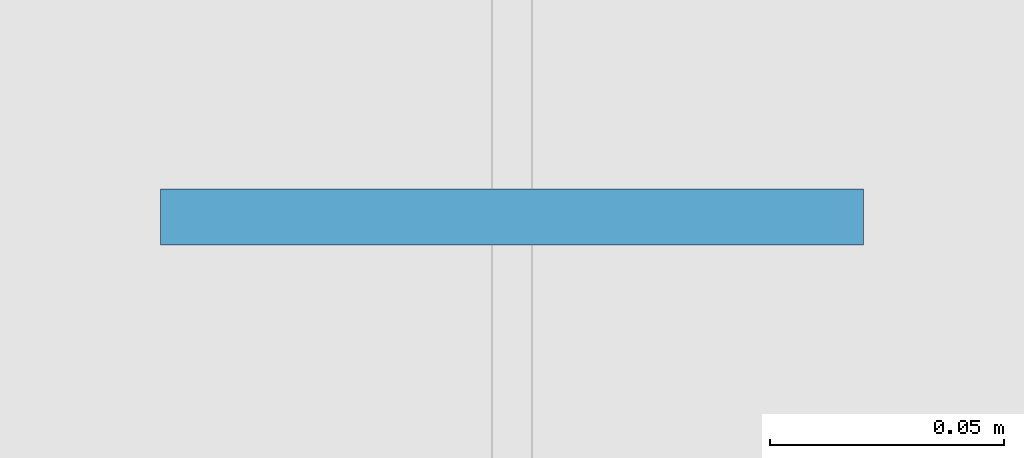
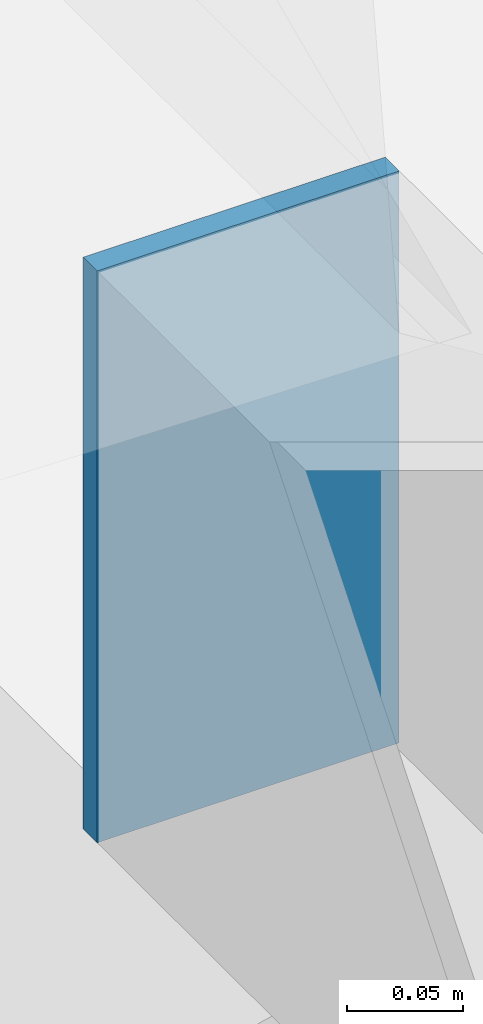
# One storey, part 24 of 35: 1 plate.
"""IFC4 building model written with IfcOpenShell, lengths in metres."""

from ifc_helpers import new_model, si_unit, direction, frame, origin, origin_2d, place, context, subcontext, project, spatial, rectangle, extrude, material, layer, layer_set, type_object, element, save


model = new_model("IFC4")

# Units and contexts
model_context = context("Model", 3, precision=1e-05, world=origin(), true_north=direction((0.0, 1.0)))
body_context = subcontext(model_context, "Body", "Model", "MODEL_VIEW")
ifc_project = project(units=[si_unit("LENGTHUNIT", "METRE"), si_unit("AREAUNIT", "SQUARE_METRE"), si_unit("VOLUMEUNIT", "CUBIC_METRE"), si_unit("PLANEANGLEUNIT", "RADIAN"), si_unit("MASSUNIT", "GRAM", prefix="KILO")], contexts=[model_context])

# Site, building, storey
site_placement = place(None, origin())
site = spatial("IfcSite", under=ifc_project, at=site_placement, CompositionType="ELEMENT")
building_placement = place(site_placement, origin())
building = spatial("IfcBuilding", under=site, at=building_placement, Name="Vellmiral Cinema and Media Centre", CompositionType="ELEMENT")
storey_placement = place(building_placement, frame((0.0, 0.0, 15.60009765625)))
storey = spatial("IfcBuildingStorey", under=building, at=storey_placement, Name="L03", CompositionType="ELEMENT", Elevation=15.60009765625)

# Plate
ifc_material = material(Name="Steel S355", Category="steel")
ifc_layer = layer(ifc_material, 0.011962890625, Name="Steel S355")
ifc_layer_set = layer_set([ifc_layer], Name="Steel S355")
plate_type = type_object("IfcPlateType", Name="PLT-CAP-300", PredefinedType="SHEET", material=ifc_layer_set)
plate_placement = place(storey_placement, frame((55.199951171875, 84.20556640625, 5.7939453125), z_axis=(0.0, 0.0, 1.0), x_axis=(1.0, 0.0, 0.0)))
element("IfcPlate", 1, at=plate_placement, inside=storey, type_object=plate_type, Name="Roof Purlin VR-08W.3.2 End Cap Plate", PredefinedType="SHEET", context=body_context, shape_type="SweptSolid", body=[
    extrude(rectangle(XDim=0.14990234375, YDim=0.011962890625, at=origin_2d()), origin(), (0.0, 0.0, 1.0), 0.300048828125),
])

save(model, "model.ifc")
